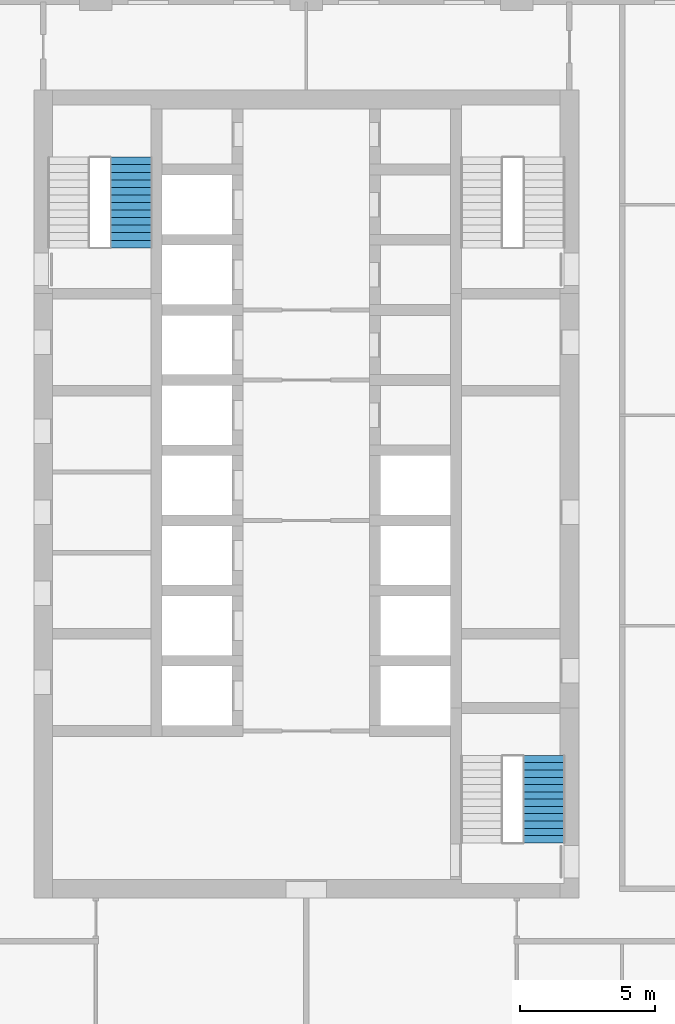
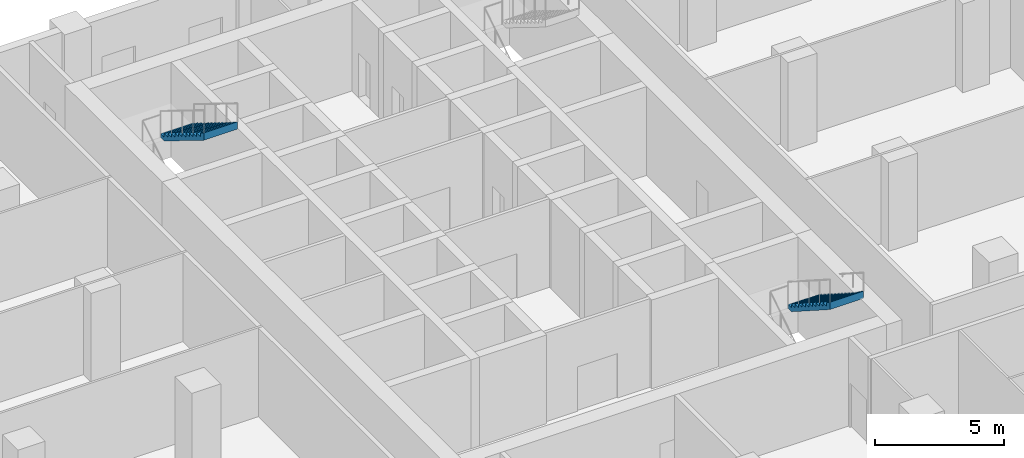
# One storey, part 18 of 24: 2 stair flights, 2 elements without a shape of their own.
"""IFC4 building model written with IfcOpenShell, lengths in metres."""

from ifc_helpers import new_model, si_unit, direction, frame, origin, place, context, subcontext, project, spatial, triangles, material, type_object, element, aggregate, save


model = new_model("IFC4")

# Units and contexts
model_context = context("Model", 3, precision=1e-05, world=origin(), true_north=direction((0.0, 1.0)))
body_context = subcontext(model_context, "Body", "Model", "MODEL_VIEW")
ifc_project = project(units=[si_unit("LENGTHUNIT", "METRE"), si_unit("AREAUNIT", "SQUARE_METRE"), si_unit("VOLUMEUNIT", "CUBIC_METRE"), si_unit("PLANEANGLEUNIT", "RADIAN"), si_unit("MASSUNIT", "GRAM", prefix="KILO")], contexts=[model_context])

# Site, building, storey
site_placement = place(None, origin())
site = spatial("IfcSite", under=ifc_project, at=site_placement, CompositionType="ELEMENT")
building_placement = place(site_placement, origin())
building = spatial("IfcBuilding", under=site, at=building_placement, Name="Ludao Terraces", CompositionType="ELEMENT")
storey_placement = place(building_placement, frame((0.0, 0.0, 6.0)))
storey = spatial("IfcBuildingStorey", under=building, at=storey_placement, Name="L01", CompositionType="ELEMENT", Elevation=6.0)

# Stair, stair flight
ifc_material = material(Name="Concrete C40", Category="concrete")
stair_type = type_object("IfcStairType", Name="INT Stair", PredefinedType="HALF_TURN_STAIR", material=ifc_material)
stair_1_placement = place(storey_placement, origin())
stair_1 = element("IfcStair", 1, at=stair_1_placement, inside=storey, type_object=stair_type, Name="EXIT STAIR 1", PredefinedType="HALF_TURN_STAIR")
stair_flight_type = type_object("IfcStairFlightType", Name="INT Stair flight", PredefinedType="STRAIGHT", material=ifc_material)
stair_flight_1_placement = place(storey_placement, frame((78.5, 82.360107421875, 2.25), z_axis=(0.0, 0.0, 1.0), x_axis=(0.0, -1.0, 0.0)))
stair_flight_1 = element("IfcStairFlight", 2, at=stair_flight_1_placement, type_object=stair_flight_type, Name="ST1 flight 2", NumberOfRisers=13, NumberOfTreads=12, PredefinedType="STRAIGHT", RiserHeight=0.173077, TreadLength=0.28, context=body_context, shape_type="Tessellation", body=[
    triangles([(0.0, -0.75, 0.0), (0.0, -0.5, 0.0), (0.0, -0.25, 0.0), (0.0, 0.0, 0.0), (0.0, 0.25, 0.0), (0.0, 0.5, 0.0), (0.0, 0.75, 0.0), (0.0, -0.75, 0.173095703125), (0.0, -0.5, 0.173095703125), (0.0, -0.25, 0.173095703125), (0.0, 0.0, 0.173095703125), (0.0, 0.25, 0.173095703125), (0.0, 0.5, 0.173095703125), (0.0, 0.75, 0.173095703125), (0.280029296875, -0.75, 0.173095703125), (0.280029296875, -0.5, 0.173095703125), (0.280029296875, -0.25, 0.173095703125), (0.280029296875, 0.0, 0.173095703125), (0.280029296875, 0.25, 0.173095703125), (0.280029296875, 0.5, 0.173095703125), (0.280029296875, 0.75, 0.173095703125), (0.280029296875, -0.75, 0.34619140625), (0.280029296875, -0.5, 0.34619140625), (0.280029296875, -0.25, 0.34619140625), (0.280029296875, 0.0, 0.34619140625), (0.280029296875, 0.25, 0.34619140625), (0.280029296875, 0.5, 0.34619140625), (0.280029296875, 0.75, 0.34619140625), (0.56005859375, -0.75, 0.34619140625), (0.56005859375, -0.5, 0.34619140625), (0.56005859375, -0.25, 0.34619140625), (0.56005859375, 0.0, 0.34619140625), (0.56005859375, 0.25, 0.34619140625), (0.56005859375, 0.5, 0.34619140625), (0.56005859375, 0.75, 0.34619140625), (0.56005859375, -0.75, 0.519287109375), (0.56005859375, -0.5, 0.519287109375), (0.56005859375, -0.25, 0.519287109375), (0.56005859375, 0.0, 0.519287109375), (0.56005859375, 0.25, 0.519287109375), (0.56005859375, 0.5, 0.519287109375), (0.56005859375, 0.75, 0.519287109375), (0.840087890625, -0.75, 0.519287109375), (0.840087890625, -0.5, 0.519287109375), (0.840087890625, -0.25, 0.519287109375), (0.840087890625, 0.0, 0.519287109375), (0.840087890625, 0.25, 0.519287109375), (0.840087890625, 0.5, 0.519287109375), (0.840087890625, 0.75, 0.519287109375), (0.840087890625, -0.75, 0.6923828125), (0.840087890625, -0.5, 0.6923828125), (0.840087890625, -0.25, 0.6923828125), (0.840087890625, 0.0, 0.6923828125), (0.840087890625, 0.25, 0.6923828125), (0.840087890625, 0.5, 0.6923828125), (0.840087890625, 0.75, 0.6923828125), (1.1201171875, -0.75, 0.6923828125), (1.1201171875, -0.5, 0.6923828125), (1.1201171875, -0.25, 0.6923828125), (1.1201171875, 0.0, 0.6923828125), (1.1201171875, 0.25, 0.6923828125), (1.1201171875, 0.5, 0.6923828125), (1.1201171875, 0.75, 0.6923828125), (1.1201171875, -0.75, 0.865478515625), (1.1201171875, -0.5, 0.865478515625), (1.1201171875, -0.25, 0.865478515625), (1.1201171875, 0.0, 0.865478515625), (1.1201171875, 0.25, 0.865478515625), (1.1201171875, 0.5, 0.865478515625), (1.1201171875, 0.75, 0.865478515625), (1.39990234375, -0.75, 0.865478515625), (1.39990234375, -0.5, 0.865478515625), (1.39990234375, -0.25, 0.865478515625), (1.39990234375, 0.0, 0.865478515625), (1.39990234375, 0.25, 0.865478515625), (1.39990234375, 0.5, 0.865478515625), (1.39990234375, 0.75, 0.865478515625), (1.39990234375, -0.75, 1.03857421875), (1.39990234375, -0.5, 1.03857421875), (1.39990234375, -0.25, 1.03857421875), (1.39990234375, 0.0, 1.03857421875), (1.39990234375, 0.25, 1.03857421875), (1.39990234375, 0.5, 1.03857421875), (1.39990234375, 0.75, 1.03857421875), (1.679931640625, -0.75, 1.03857421875), (1.679931640625, -0.5, 1.03857421875), (1.679931640625, -0.25, 1.03857421875), (1.679931640625, 0.0, 1.03857421875), (1.679931640625, 0.25, 1.03857421875), (1.679931640625, 0.5, 1.03857421875), (1.679931640625, 0.75, 1.03857421875), (1.679931640625, -0.75, 1.21142578125), (1.679931640625, -0.5, 1.21142578125), (1.679931640625, -0.25, 1.21142578125), (1.679931640625, 0.0, 1.21142578125), (1.679931640625, 0.25, 1.21142578125), (1.679931640625, 0.5, 1.21142578125), (1.679931640625, 0.75, 1.21142578125), (1.9599609375, -0.75, 1.21142578125), (1.9599609375, -0.5, 1.21142578125), (1.9599609375, -0.25, 1.21142578125), (1.9599609375, 0.0, 1.21142578125), (1.9599609375, 0.25, 1.21142578125), (1.9599609375, 0.5, 1.21142578125), (1.9599609375, 0.75, 1.21142578125), (1.9599609375, -0.75, 1.384521484375), (1.9599609375, -0.5, 1.384521484375), (1.9599609375, -0.25, 1.384521484375), (1.9599609375, 0.0, 1.384521484375), (1.9599609375, 0.25, 1.384521484375), (1.9599609375, 0.5, 1.384521484375), (1.9599609375, 0.75, 1.384521484375), (2.239990234375, -0.75, 1.384521484375), (2.239990234375, -0.5, 1.384521484375), (2.239990234375, -0.25, 1.384521484375), (2.239990234375, 0.0, 1.384521484375), (2.239990234375, 0.25, 1.384521484375), (2.239990234375, 0.5, 1.384521484375), (2.239990234375, 0.75, 1.384521484375), (2.239990234375, -0.75, 1.5576171875), (2.239990234375, -0.5, 1.5576171875), (2.239990234375, -0.25, 1.5576171875), (2.239990234375, 0.0, 1.5576171875), (2.239990234375, 0.25, 1.5576171875), (2.239990234375, 0.5, 1.5576171875), (2.239990234375, 0.75, 1.5576171875), (2.52001953125, -0.75, 1.5576171875), (2.52001953125, -0.5, 1.5576171875), (2.52001953125, -0.25, 1.5576171875), (2.52001953125, 0.0, 1.5576171875), (2.52001953125, 0.25, 1.5576171875), (2.52001953125, 0.5, 1.5576171875), (2.52001953125, 0.75, 1.5576171875), (2.52001953125, -0.75, 1.730712890625), (2.52001953125, -0.5, 1.730712890625), (2.52001953125, -0.25, 1.730712890625), (2.52001953125, 0.0, 1.730712890625), (2.52001953125, 0.25, 1.730712890625), (2.52001953125, 0.5, 1.730712890625), (2.52001953125, 0.75, 1.730712890625), (2.800048828125, -0.75, 1.730712890625), (2.800048828125, -0.5, 1.730712890625), (2.800048828125, -0.25, 1.730712890625), (2.800048828125, 0.0, 1.730712890625), (2.800048828125, 0.25, 1.730712890625), (2.800048828125, 0.5, 1.730712890625), (2.800048828125, 0.75, 1.730712890625), (2.800048828125, -0.75, 1.90380859375), (2.800048828125, -0.5, 1.90380859375), (2.800048828125, -0.25, 1.90380859375), (2.800048828125, 0.0, 1.90380859375), (2.800048828125, 0.25, 1.90380859375), (2.800048828125, 0.5, 1.90380859375), (2.800048828125, 0.75, 1.90380859375), (3.080078125, -0.75, 1.90380859375), (3.080078125, -0.5, 1.90380859375), (3.080078125, -0.25, 1.90380859375), (3.080078125, 0.0, 1.90380859375), (3.080078125, 0.25, 1.90380859375), (3.080078125, 0.5, 1.90380859375), (3.080078125, 0.75, 1.90380859375), (3.080078125, -0.75, 2.076904296875), (3.080078125, -0.5, 2.076904296875), (3.080078125, -0.25, 2.076904296875), (3.080078125, 0.0, 2.076904296875), (3.080078125, 0.25, 2.076904296875), (3.080078125, 0.5, 2.076904296875), (3.080078125, 0.75, 2.076904296875), (3.360107421875, -0.75, 2.25), (3.360107421875, -0.5, 2.25), (3.360107421875, -0.25, 2.25), (3.360107421875, 0.0, 2.25), (3.360107421875, 0.25, 2.25), (3.360107421875, 0.5, 2.25), (3.360107421875, 0.75, 2.25), (3.360107421875, -0.75, 1.900634765625), (3.360107421875, -0.5, 1.900634765625), (3.360107421875, -0.25, 1.900634765625), (3.360107421875, 0.0, 1.900634765625), (3.360107421875, 0.25, 1.900634765625), (3.360107421875, 0.5, 1.900634765625), (3.360107421875, 0.75, 1.900634765625), (0.28515625, -0.75, 0.0), (0.28515625, -0.5, 0.0), (0.28515625, -0.25, 0.0), (0.28515625, 0.0, 0.0), (0.28515625, 0.25, 0.0), (0.28515625, 0.5, 0.0), (0.28515625, 0.75, 0.0)], [[1, 183, 176], [7, 182, 189], [176, 169, 162], [182, 168, 175], [176, 162, 155], [182, 161, 168], [176, 155, 148], [182, 154, 161], [176, 148, 141], [182, 147, 154], [141, 134, 127], [147, 133, 140], [176, 141, 127], [182, 133, 147], [127, 120, 113], [133, 119, 126], [176, 127, 113], [182, 119, 133], [113, 106, 99], [119, 105, 112], [176, 113, 99], [182, 105, 119], [1, 176, 99], [7, 105, 182], [99, 92, 85], [105, 91, 98], [85, 78, 71], [91, 77, 84], [99, 85, 71], [105, 77, 91], [71, 64, 57], [77, 63, 70], [99, 71, 57], [105, 63, 77], [57, 50, 43], [63, 49, 56], [99, 57, 43], [105, 49, 63], [43, 36, 29], [49, 35, 42], [99, 43, 29], [105, 35, 49], [29, 22, 15], [35, 21, 28], [99, 29, 15], [105, 21, 35], [1, 99, 15], [7, 21, 105], [15, 8, 1], [21, 7, 14], [1, 9, 2], [1, 8, 9], [2, 10, 3], [2, 9, 10], [3, 11, 4], [3, 10, 11], [4, 12, 5], [4, 11, 12], [5, 13, 6], [5, 12, 13], [6, 14, 7], [6, 13, 14], [8, 16, 9], [8, 15, 16], [9, 17, 10], [9, 16, 17], [10, 18, 11], [10, 17, 18], [11, 19, 12], [11, 18, 19], [12, 20, 13], [12, 19, 20], [13, 21, 14], [13, 20, 21], [15, 23, 16], [15, 22, 23], [16, 24, 17], [16, 23, 24], [17, 25, 18], [17, 24, 25], [18, 26, 19], [18, 25, 26], [19, 27, 20], [19, 26, 27], [20, 28, 21], [20, 27, 28], [22, 30, 23], [22, 29, 30], [23, 31, 24], [23, 30, 31], [24, 32, 25], [24, 31, 32], [25, 33, 26], [25, 32, 33], [26, 34, 27], [26, 33, 34], [27, 35, 28], [27, 34, 35], [29, 37, 30], [29, 36, 37], [30, 38, 31], [30, 37, 38], [31, 39, 32], [31, 38, 39], [32, 40, 33], [32, 39, 40], [33, 41, 34], [33, 40, 41], [34, 42, 35], [34, 41, 42], [36, 44, 37], [36, 43, 44], [37, 45, 38], [37, 44, 45], [38, 46, 39], [38, 45, 46], [39, 47, 40], [39, 46, 47], [40, 48, 41], [40, 47, 48], [41, 49, 42], [41, 48, 49], [43, 51, 44], [43, 50, 51], [44, 52, 45], [44, 51, 52], [45, 53, 46], [45, 52, 53], [46, 54, 47], [46, 53, 54], [47, 55, 48], [47, 54, 55], [48, 56, 49], [48, 55, 56], [50, 58, 51], [50, 57, 58], [51, 59, 52], [51, 58, 59], [52, 60, 53], [52, 59, 60], [53, 61, 54], [53, 60, 61], [54, 62, 55], [54, 61, 62], [55, 63, 56], [55, 62, 63], [57, 65, 58], [57, 64, 65], [58, 66, 59], [58, 65, 66], [59, 67, 60], [59, 66, 67], [60, 68, 61], [60, 67, 68], [61, 69, 62], [61, 68, 69], [62, 70, 63], [62, 69, 70], [64, 72, 65], [64, 71, 72], [65, 73, 66], [65, 72, 73], [66, 74, 67], [66, 73, 74], [67, 75, 68], [67, 74, 75], [68, 76, 69], [68, 75, 76], [69, 77, 70], [69, 76, 77], [71, 79, 72], [71, 78, 79], [72, 80, 73], [72, 79, 80], [73, 81, 74], [73, 80, 81], [74, 82, 75], [74, 81, 82], [75, 83, 76], [75, 82, 83], [76, 84, 77], [76, 83, 84], [78, 86, 79], [78, 85, 86], [79, 87, 80], [79, 86, 87], [80, 88, 81], [80, 87, 88], [81, 89, 82], [81, 88, 89], [82, 90, 83], [82, 89, 90], [83, 91, 84], [83, 90, 91], [85, 93, 86], [85, 92, 93], [86, 94, 87], [86, 93, 94], [87, 95, 88], [87, 94, 95], [88, 96, 89], [88, 95, 96], [89, 97, 90], [89, 96, 97], [90, 98, 91], [90, 97, 98], [92, 100, 93], [92, 99, 100], [93, 101, 94], [93, 100, 101], [94, 102, 95], [94, 101, 102], [95, 103, 96], [95, 102, 103], [96, 104, 97], [96, 103, 104], [97, 105, 98], [97, 104, 105], [99, 107, 100], [99, 106, 107], [100, 108, 101], [100, 107, 108], [101, 109, 102], [101, 108, 109], [102, 110, 103], [102, 109, 110], [103, 111, 104], [103, 110, 111], [104, 112, 105], [104, 111, 112], [106, 114, 107], [106, 113, 114], [107, 115, 108], [107, 114, 115], [108, 116, 109], [108, 115, 116], [109, 117, 110], [109, 116, 117], [110, 118, 111], [110, 117, 118], [111, 119, 112], [111, 118, 119], [113, 121, 114], [113, 120, 121], [114, 122, 115], [114, 121, 122], [115, 123, 116], [115, 122, 123], [116, 124, 117], [116, 123, 124], [117, 125, 118], [117, 124, 125], [118, 126, 119], [118, 125, 126], [120, 128, 121], [120, 127, 128], [121, 129, 122], [121, 128, 129], [122, 130, 123], [122, 129, 130], [123, 131, 124], [123, 130, 131], [124, 132, 125], [124, 131, 132], [125, 133, 126], [125, 132, 133], [127, 135, 128], [127, 134, 135], [128, 136, 129], [128, 135, 136], [129, 137, 130], [129, 136, 137], [130, 138, 131], [130, 137, 138], [131, 139, 132], [131, 138, 139], [132, 140, 133], [132, 139, 140], [134, 142, 135], [134, 141, 142], [135, 143, 136], [135, 142, 143], [136, 144, 137], [136, 143, 144], [137, 145, 138], [137, 144, 145], [138, 146, 139], [138, 145, 146], [139, 147, 140], [139, 146, 147], [141, 149, 142], [141, 148, 149], [142, 150, 143], [142, 149, 150], [143, 151, 144], [143, 150, 151], [144, 152, 145], [144, 151, 152], [145, 153, 146], [145, 152, 153], [146, 154, 147], [146, 153, 154], [148, 156, 149], [148, 155, 156], [149, 157, 150], [149, 156, 157], [150, 158, 151], [150, 157, 158], [151, 159, 152], [151, 158, 159], [152, 160, 153], [152, 159, 160], [153, 161, 154], [153, 160, 161], [155, 163, 156], [155, 162, 163], [156, 164, 157], [156, 163, 164], [157, 165, 158], [157, 164, 165], [158, 166, 159], [158, 165, 166], [159, 167, 160], [159, 166, 167], [160, 168, 161], [160, 167, 168], [162, 170, 163], [162, 169, 170], [163, 171, 164], [163, 170, 171], [164, 172, 165], [164, 171, 172], [165, 173, 166], [165, 172, 173], [166, 174, 167], [166, 173, 174], [167, 175, 168], [167, 174, 175], [169, 177, 170], [169, 176, 177], [170, 178, 171], [170, 177, 178], [171, 179, 172], [171, 178, 179], [172, 180, 173], [172, 179, 180], [173, 181, 174], [173, 180, 181], [174, 182, 175], [174, 181, 182], [176, 184, 177], [176, 183, 184], [177, 185, 178], [177, 184, 185], [178, 186, 179], [178, 185, 186], [179, 187, 180], [179, 186, 187], [180, 188, 181], [180, 187, 188], [181, 189, 182], [181, 188, 189], [183, 2, 184], [183, 1, 2], [184, 3, 185], [184, 2, 3], [185, 4, 186], [185, 3, 4], [186, 5, 187], [186, 4, 5], [187, 6, 188], [187, 5, 6], [188, 7, 189], [188, 6, 7]], closed=True),
])
aggregate(stair_1, [stair_flight_1])

stair_2_placement = place(storey_placement, origin())
stair_2 = element("IfcStair", 3, at=stair_2_placement, inside=storey, type_object=stair_type, Name="EXIT STAIR 3", PredefinedType="HALF_TURN_STAIR")
stair_flight_2_placement = place(storey_placement, frame((93.800048828125, 60.18994140625, 2.25), z_axis=(0.0, 0.0, 1.0), x_axis=(0.0, -1.0, 0.0)))
stair_flight_2 = element("IfcStairFlight", 4, at=stair_flight_2_placement, type_object=stair_flight_type, Name="ST3 flight 2", NumberOfRisers=13, NumberOfTreads=12, PredefinedType="STRAIGHT", RiserHeight=0.173077, TreadLength=0.27, context=body_context, shape_type="Tessellation", body=[
    triangles([(0.0, -0.75, 0.0), (0.0, -0.5, 0.0), (0.0, -0.25, 0.0), (0.0, 0.0, 0.0), (0.0, 0.25, 0.0), (0.0, 0.5, 0.0), (0.0, 0.75, 0.0), (0.0, -0.75, 0.173095703125), (0.0, -0.5, 0.173095703125), (0.0, -0.25, 0.173095703125), (0.0, 0.0, 0.173095703125), (0.0, 0.25, 0.173095703125), (0.0, 0.5, 0.173095703125), (0.0, 0.75, 0.173095703125), (0.27001953125, -0.75, 0.173095703125), (0.27001953125, -0.5, 0.173095703125), (0.27001953125, -0.25, 0.173095703125), (0.27001953125, 0.0, 0.173095703125), (0.27001953125, 0.25, 0.173095703125), (0.27001953125, 0.5, 0.173095703125), (0.27001953125, 0.75, 0.173095703125), (0.27001953125, -0.75, 0.34619140625), (0.27001953125, -0.5, 0.34619140625), (0.27001953125, -0.25, 0.34619140625), (0.27001953125, 0.0, 0.34619140625), (0.27001953125, 0.25, 0.34619140625), (0.27001953125, 0.5, 0.34619140625), (0.27001953125, 0.75, 0.34619140625), (0.5400390625, -0.75, 0.34619140625), (0.5400390625, -0.5, 0.34619140625), (0.5400390625, -0.25, 0.34619140625), (0.5400390625, 0.0, 0.34619140625), (0.5400390625, 0.25, 0.34619140625), (0.5400390625, 0.5, 0.34619140625), (0.5400390625, 0.75, 0.34619140625), (0.5400390625, -0.75, 0.519287109375), (0.5400390625, -0.5, 0.519287109375), (0.5400390625, -0.25, 0.519287109375), (0.5400390625, 0.0, 0.519287109375), (0.5400390625, 0.25, 0.519287109375), (0.5400390625, 0.5, 0.519287109375), (0.5400390625, 0.75, 0.519287109375), (0.81005859375, -0.75, 0.519287109375), (0.81005859375, -0.5, 0.519287109375), (0.81005859375, -0.25, 0.519287109375), (0.81005859375, 0.0, 0.519287109375), (0.81005859375, 0.25, 0.519287109375), (0.81005859375, 0.5, 0.519287109375), (0.81005859375, 0.75, 0.519287109375), (0.81005859375, -0.75, 0.6923828125), (0.81005859375, -0.5, 0.6923828125), (0.81005859375, -0.25, 0.6923828125), (0.81005859375, 0.0, 0.6923828125), (0.81005859375, 0.25, 0.6923828125), (0.81005859375, 0.5, 0.6923828125), (0.81005859375, 0.75, 0.6923828125), (1.080078125, -0.75, 0.6923828125), (1.080078125, -0.5, 0.6923828125), (1.080078125, -0.25, 0.6923828125), (1.080078125, 0.0, 0.6923828125), (1.080078125, 0.25, 0.6923828125), (1.080078125, 0.5, 0.6923828125), (1.080078125, 0.75, 0.6923828125), (1.080078125, -0.75, 0.865478515625), (1.080078125, -0.5, 0.865478515625), (1.080078125, -0.25, 0.865478515625), (1.080078125, 0.0, 0.865478515625), (1.080078125, 0.25, 0.865478515625), (1.080078125, 0.5, 0.865478515625), (1.080078125, 0.75, 0.865478515625), (1.35009765625, -0.75, 0.865478515625), (1.35009765625, -0.5, 0.865478515625), (1.35009765625, -0.25, 0.865478515625), (1.35009765625, 0.0, 0.865478515625), (1.35009765625, 0.25, 0.865478515625), (1.35009765625, 0.5, 0.865478515625), (1.35009765625, 0.75, 0.865478515625), (1.35009765625, -0.75, 1.03857421875), (1.35009765625, -0.5, 1.03857421875), (1.35009765625, -0.25, 1.03857421875), (1.35009765625, 0.0, 1.03857421875), (1.35009765625, 0.25, 1.03857421875), (1.35009765625, 0.5, 1.03857421875), (1.35009765625, 0.75, 1.03857421875), (1.6201171875, -0.75, 1.03857421875), (1.6201171875, -0.5, 1.03857421875), (1.6201171875, -0.25, 1.03857421875), (1.6201171875, 0.0, 1.03857421875), (1.6201171875, 0.25, 1.03857421875), (1.6201171875, 0.5, 1.03857421875), (1.6201171875, 0.75, 1.03857421875), (1.6201171875, -0.75, 1.21142578125), (1.6201171875, -0.5, 1.21142578125), (1.6201171875, -0.25, 1.21142578125), (1.6201171875, 0.0, 1.21142578125), (1.6201171875, 0.25, 1.21142578125), (1.6201171875, 0.5, 1.21142578125), (1.6201171875, 0.75, 1.21142578125), (1.889892578125, -0.75, 1.21142578125), (1.889892578125, -0.5, 1.21142578125), (1.889892578125, -0.25, 1.21142578125), (1.889892578125, 0.0, 1.21142578125), (1.889892578125, 0.25, 1.21142578125), (1.889892578125, 0.5, 1.21142578125), (1.889892578125, 0.75, 1.21142578125), (1.889892578125, -0.75, 1.384521484375), (1.889892578125, -0.5, 1.384521484375), (1.889892578125, -0.25, 1.384521484375), (1.889892578125, 0.0, 1.384521484375), (1.889892578125, 0.25, 1.384521484375), (1.889892578125, 0.5, 1.384521484375), (1.889892578125, 0.75, 1.384521484375), (2.159912109375, -0.75, 1.384521484375), (2.159912109375, -0.5, 1.384521484375), (2.159912109375, -0.25, 1.384521484375), (2.159912109375, 0.0, 1.384521484375), (2.159912109375, 0.25, 1.384521484375), (2.159912109375, 0.5, 1.384521484375), (2.159912109375, 0.75, 1.384521484375), (2.159912109375, -0.75, 1.5576171875), (2.159912109375, -0.5, 1.5576171875), (2.159912109375, -0.25, 1.5576171875), (2.159912109375, 0.0, 1.5576171875), (2.159912109375, 0.25, 1.5576171875), (2.159912109375, 0.5, 1.5576171875), (2.159912109375, 0.75, 1.5576171875), (2.429931640625, -0.75, 1.5576171875), (2.429931640625, -0.5, 1.5576171875), (2.429931640625, -0.25, 1.5576171875), (2.429931640625, 0.0, 1.5576171875), (2.429931640625, 0.25, 1.5576171875), (2.429931640625, 0.5, 1.5576171875), (2.429931640625, 0.75, 1.5576171875), (2.429931640625, -0.75, 1.730712890625), (2.429931640625, -0.5, 1.730712890625), (2.429931640625, -0.25, 1.730712890625), (2.429931640625, 0.0, 1.730712890625), (2.429931640625, 0.25, 1.730712890625), (2.429931640625, 0.5, 1.730712890625), (2.429931640625, 0.75, 1.730712890625), (2.699951171875, -0.75, 1.730712890625), (2.699951171875, -0.5, 1.730712890625), (2.699951171875, -0.25, 1.730712890625), (2.699951171875, 0.0, 1.730712890625), (2.699951171875, 0.25, 1.730712890625), (2.699951171875, 0.5, 1.730712890625), (2.699951171875, 0.75, 1.730712890625), (2.699951171875, -0.75, 1.90380859375), (2.699951171875, -0.5, 1.90380859375), (2.699951171875, -0.25, 1.90380859375), (2.699951171875, 0.0, 1.90380859375), (2.699951171875, 0.25, 1.90380859375), (2.699951171875, 0.5, 1.90380859375), (2.699951171875, 0.75, 1.90380859375), (2.969970703125, -0.75, 1.90380859375), (2.969970703125, -0.5, 1.90380859375), (2.969970703125, -0.25, 1.90380859375), (2.969970703125, 0.0, 1.90380859375), (2.969970703125, 0.25, 1.90380859375), (2.969970703125, 0.5, 1.90380859375), (2.969970703125, 0.75, 1.90380859375), (2.969970703125, -0.75, 2.076904296875), (2.969970703125, -0.5, 2.076904296875), (2.969970703125, -0.25, 2.076904296875), (2.969970703125, 0.0, 2.076904296875), (2.969970703125, 0.25, 2.076904296875), (2.969970703125, 0.5, 2.076904296875), (2.969970703125, 0.75, 2.076904296875), (3.239990234375, -0.75, 2.25), (3.239990234375, -0.5, 2.25), (3.239990234375, -0.25, 2.25), (3.239990234375, 0.0, 2.25), (3.239990234375, 0.25, 2.25), (3.239990234375, 0.5, 2.25), (3.239990234375, 0.75, 2.25), (3.239990234375, -0.75, 1.89892578125), (3.239990234375, -0.5, 1.89892578125), (3.239990234375, -0.25, 1.89892578125), (3.239990234375, 0.0, 1.89892578125), (3.239990234375, 0.25, 1.89892578125), (3.239990234375, 0.5, 1.89892578125), (3.239990234375, 0.75, 1.89892578125), (0.27783203125, -0.75, 0.0), (0.27783203125, -0.5, 0.0), (0.27783203125, -0.25, 0.0), (0.27783203125, 0.0, 0.0), (0.27783203125, 0.25, 0.0), (0.27783203125, 0.5, 0.0), (0.27783203125, 0.75, 0.0)], [[1, 183, 176], [7, 182, 189], [176, 169, 162], [182, 168, 175], [176, 162, 155], [182, 161, 168], [176, 155, 148], [182, 154, 161], [176, 148, 141], [182, 147, 154], [141, 134, 127], [147, 133, 140], [176, 141, 127], [182, 133, 147], [127, 120, 113], [133, 119, 126], [176, 127, 113], [182, 119, 133], [113, 106, 99], [119, 105, 112], [176, 113, 99], [182, 105, 119], [1, 176, 99], [7, 105, 182], [99, 92, 85], [105, 91, 98], [85, 78, 71], [91, 77, 84], [99, 85, 71], [105, 77, 91], [71, 64, 57], [77, 63, 70], [99, 71, 57], [105, 63, 77], [57, 50, 43], [63, 49, 56], [99, 57, 43], [105, 49, 63], [43, 36, 29], [49, 35, 42], [99, 43, 29], [105, 35, 49], [29, 22, 15], [35, 21, 28], [99, 29, 15], [105, 21, 35], [1, 99, 15], [7, 21, 105], [15, 8, 1], [21, 7, 14], [1, 9, 2], [1, 8, 9], [2, 10, 3], [2, 9, 10], [3, 11, 4], [3, 10, 11], [4, 12, 5], [4, 11, 12], [5, 13, 6], [5, 12, 13], [6, 14, 7], [6, 13, 14], [8, 16, 9], [8, 15, 16], [9, 17, 10], [9, 16, 17], [10, 18, 11], [10, 17, 18], [11, 19, 12], [11, 18, 19], [12, 20, 13], [12, 19, 20], [13, 21, 14], [13, 20, 21], [15, 23, 16], [15, 22, 23], [16, 24, 17], [16, 23, 24], [17, 25, 18], [17, 24, 25], [18, 26, 19], [18, 25, 26], [19, 27, 20], [19, 26, 27], [20, 28, 21], [20, 27, 28], [22, 30, 23], [22, 29, 30], [23, 31, 24], [23, 30, 31], [24, 32, 25], [24, 31, 32], [25, 33, 26], [25, 32, 33], [26, 34, 27], [26, 33, 34], [27, 35, 28], [27, 34, 35], [29, 37, 30], [29, 36, 37], [30, 38, 31], [30, 37, 38], [31, 39, 32], [31, 38, 39], [32, 40, 33], [32, 39, 40], [33, 41, 34], [33, 40, 41], [34, 42, 35], [34, 41, 42], [36, 44, 37], [36, 43, 44], [37, 45, 38], [37, 44, 45], [38, 46, 39], [38, 45, 46], [39, 47, 40], [39, 46, 47], [40, 48, 41], [40, 47, 48], [41, 49, 42], [41, 48, 49], [43, 51, 44], [43, 50, 51], [44, 52, 45], [44, 51, 52], [45, 53, 46], [45, 52, 53], [46, 54, 47], [46, 53, 54], [47, 55, 48], [47, 54, 55], [48, 56, 49], [48, 55, 56], [50, 58, 51], [50, 57, 58], [51, 59, 52], [51, 58, 59], [52, 60, 53], [52, 59, 60], [53, 61, 54], [53, 60, 61], [54, 62, 55], [54, 61, 62], [55, 63, 56], [55, 62, 63], [57, 65, 58], [57, 64, 65], [58, 66, 59], [58, 65, 66], [59, 67, 60], [59, 66, 67], [60, 68, 61], [60, 67, 68], [61, 69, 62], [61, 68, 69], [62, 70, 63], [62, 69, 70], [64, 72, 65], [64, 71, 72], [65, 73, 66], [65, 72, 73], [66, 74, 67], [66, 73, 74], [67, 75, 68], [67, 74, 75], [68, 76, 69], [68, 75, 76], [69, 77, 70], [69, 76, 77], [71, 79, 72], [71, 78, 79], [72, 80, 73], [72, 79, 80], [73, 81, 74], [73, 80, 81], [74, 82, 75], [74, 81, 82], [75, 83, 76], [75, 82, 83], [76, 84, 77], [76, 83, 84], [78, 86, 79], [78, 85, 86], [79, 87, 80], [79, 86, 87], [80, 88, 81], [80, 87, 88], [81, 89, 82], [81, 88, 89], [82, 90, 83], [82, 89, 90], [83, 91, 84], [83, 90, 91], [85, 93, 86], [85, 92, 93], [86, 94, 87], [86, 93, 94], [87, 95, 88], [87, 94, 95], [88, 96, 89], [88, 95, 96], [89, 97, 90], [89, 96, 97], [90, 98, 91], [90, 97, 98], [92, 100, 93], [92, 99, 100], [93, 101, 94], [93, 100, 101], [94, 102, 95], [94, 101, 102], [95, 103, 96], [95, 102, 103], [96, 104, 97], [96, 103, 104], [97, 105, 98], [97, 104, 105], [99, 107, 100], [99, 106, 107], [100, 108, 101], [100, 107, 108], [101, 109, 102], [101, 108, 109], [102, 110, 103], [102, 109, 110], [103, 111, 104], [103, 110, 111], [104, 112, 105], [104, 111, 112], [106, 114, 107], [106, 113, 114], [107, 115, 108], [107, 114, 115], [108, 116, 109], [108, 115, 116], [109, 117, 110], [109, 116, 117], [110, 118, 111], [110, 117, 118], [111, 119, 112], [111, 118, 119], [113, 121, 114], [113, 120, 121], [114, 122, 115], [114, 121, 122], [115, 123, 116], [115, 122, 123], [116, 124, 117], [116, 123, 124], [117, 125, 118], [117, 124, 125], [118, 126, 119], [118, 125, 126], [120, 128, 121], [120, 127, 128], [121, 129, 122], [121, 128, 129], [122, 130, 123], [122, 129, 130], [123, 131, 124], [123, 130, 131], [124, 132, 125], [124, 131, 132], [125, 133, 126], [125, 132, 133], [127, 135, 128], [127, 134, 135], [128, 136, 129], [128, 135, 136], [129, 137, 130], [129, 136, 137], [130, 138, 131], [130, 137, 138], [131, 139, 132], [131, 138, 139], [132, 140, 133], [132, 139, 140], [134, 142, 135], [134, 141, 142], [135, 143, 136], [135, 142, 143], [136, 144, 137], [136, 143, 144], [137, 145, 138], [137, 144, 145], [138, 146, 139], [138, 145, 146], [139, 147, 140], [139, 146, 147], [141, 149, 142], [141, 148, 149], [142, 150, 143], [142, 149, 150], [143, 151, 144], [143, 150, 151], [144, 152, 145], [144, 151, 152], [145, 153, 146], [145, 152, 153], [146, 154, 147], [146, 153, 154], [148, 156, 149], [148, 155, 156], [149, 157, 150], [149, 156, 157], [150, 158, 151], [150, 157, 158], [151, 159, 152], [151, 158, 159], [152, 160, 153], [152, 159, 160], [153, 161, 154], [153, 160, 161], [155, 163, 156], [155, 162, 163], [156, 164, 157], [156, 163, 164], [157, 165, 158], [157, 164, 165], [158, 166, 159], [158, 165, 166], [159, 167, 160], [159, 166, 167], [160, 168, 161], [160, 167, 168], [162, 170, 163], [162, 169, 170], [163, 171, 164], [163, 170, 171], [164, 172, 165], [164, 171, 172], [165, 173, 166], [165, 172, 173], [166, 174, 167], [166, 173, 174], [167, 175, 168], [167, 174, 175], [169, 177, 170], [169, 176, 177], [170, 178, 171], [170, 177, 178], [171, 179, 172], [171, 178, 179], [172, 180, 173], [172, 179, 180], [173, 181, 174], [173, 180, 181], [174, 182, 175], [174, 181, 182], [176, 184, 177], [176, 183, 184], [177, 185, 178], [177, 184, 185], [178, 186, 179], [178, 185, 186], [179, 187, 180], [179, 186, 187], [180, 188, 181], [180, 187, 188], [181, 189, 182], [181, 188, 189], [183, 2, 184], [183, 1, 2], [184, 3, 185], [184, 2, 3], [185, 4, 186], [185, 3, 4], [186, 5, 187], [186, 4, 5], [187, 6, 188], [187, 5, 6], [188, 7, 189], [188, 6, 7]], closed=True),
])
aggregate(stair_2, [stair_flight_2])

save(model, "model.ifc")
